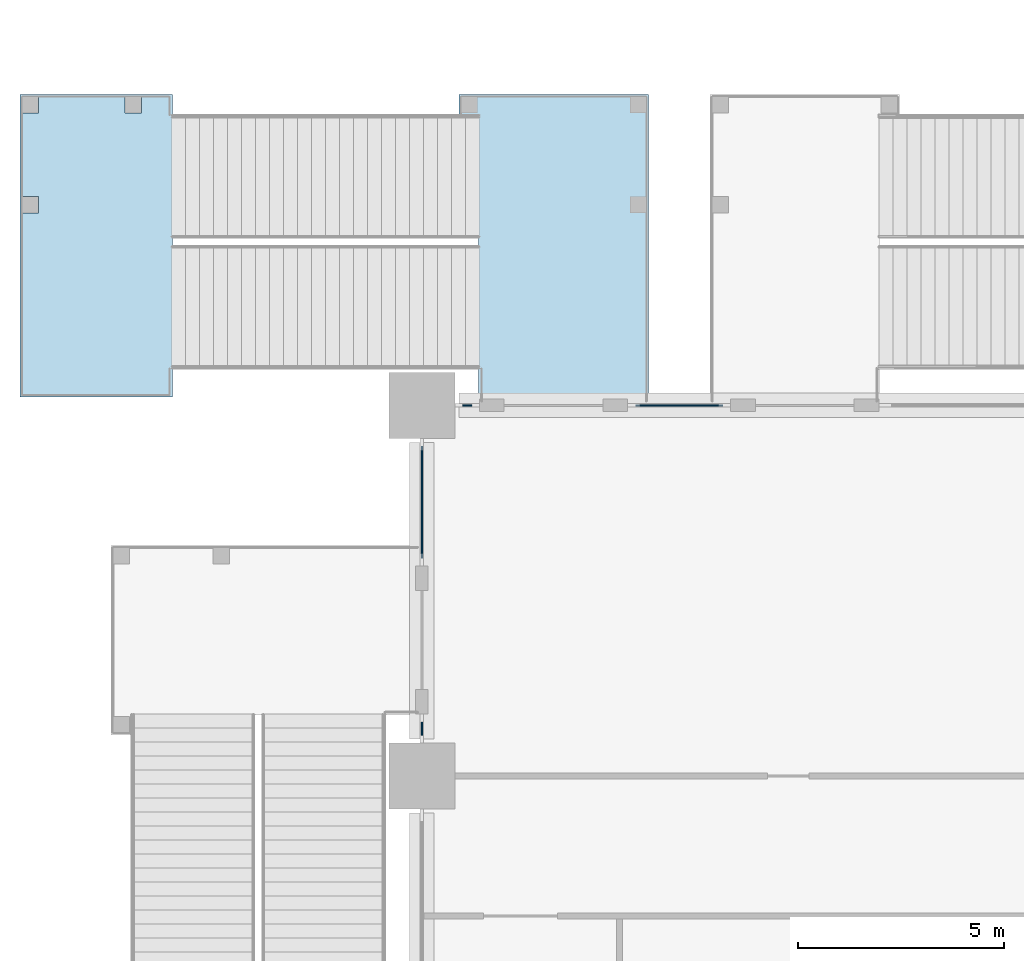
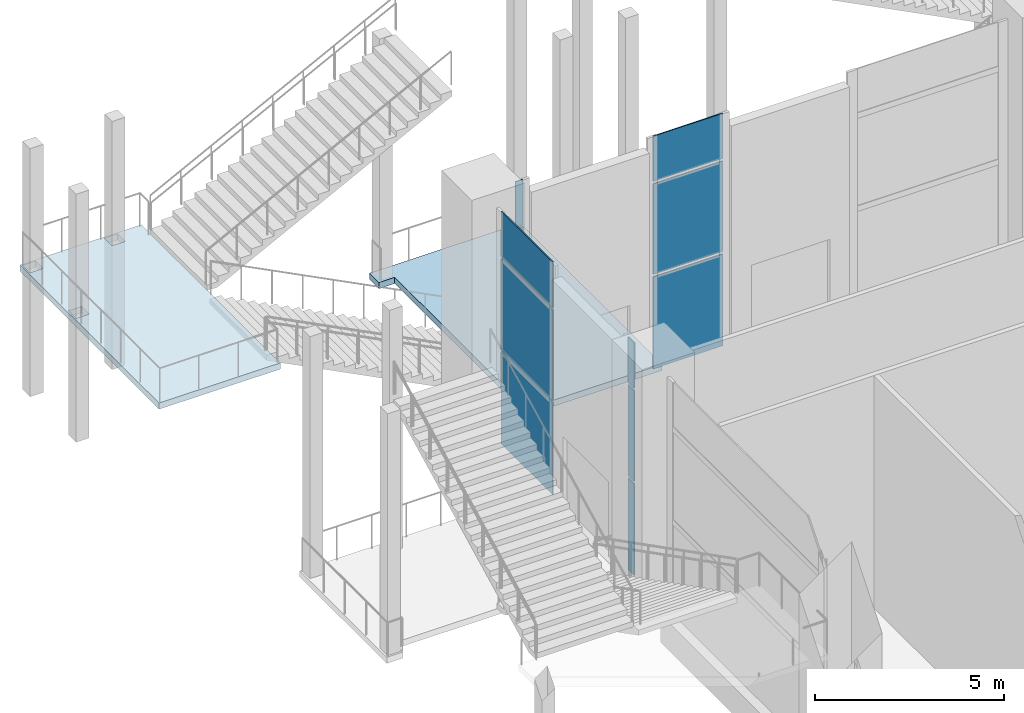
# One storey, part 19 of 52: 12 plates, 2 slabs, 5 elements without a shape of their own.
"""IFC4 building model written with IfcOpenShell, lengths in metres."""

from ifc_helpers import new_model, si_unit, direction, frame, origin, origin_2d, place, context, subcontext, project, spatial, polyline, rectangle, outline, extrude, material, layer, layer_set, type_object, element, aggregate, save


model = new_model("IFC4")

# Units and contexts
model_context = context("Model", 3, precision=1e-05, world=origin(), true_north=direction((0.0, 1.0)))
body_context = subcontext(model_context, "Body", "Model", "MODEL_VIEW")
ifc_project = project(units=[si_unit("LENGTHUNIT", "METRE"), si_unit("AREAUNIT", "SQUARE_METRE"), si_unit("VOLUMEUNIT", "CUBIC_METRE"), si_unit("PLANEANGLEUNIT", "RADIAN"), si_unit("MASSUNIT", "GRAM", prefix="KILO")], contexts=[model_context])

# Site, building, storey
site_placement = place(None, origin())
site = spatial("IfcSite", under=ifc_project, at=site_placement, CompositionType="ELEMENT")
building_placement = place(site_placement, origin())
building = spatial("IfcBuilding", under=site, at=building_placement, Name="Candeia Pilgrim Tower and Theatre", CompositionType="ELEMENT")
storey_placement = place(building_placement, frame((0.0, 0.0, 9.0)))
storey = spatial("IfcBuildingStorey", under=building, at=storey_placement, Name="L01", CompositionType="ELEMENT", Elevation=9.0)

# Curtain wall, plates
ifc_material_1 = material(Name="Aluminium framed podium glazing", Category="aluminium")
curtain_wall_type = type_object("IfcCurtainWallType", Name="CW-P curtain wall", PredefinedType="NOTDEFINED", material=ifc_material_1)
curtain_wall_1_placement = place(storey_placement, origin())
curtain_wall_1 = element("IfcCurtainWall", 1, at=curtain_wall_1_placement, inside=storey, type_object=curtain_wall_type, Name="Curtain wall CW-P L01.060", PredefinedType="NOTDEFINED")
ifc_material_2 = material(Name="Laminated low-iron glass 2 x 8 mm", Category="glass")
ifc_layer_1 = layer(ifc_material_2, 0.035888671875)
ifc_layer_set_1 = layer_set([ifc_layer_1], Name="CW-P glass panel 36")
plate_type = type_object("IfcPlateType", Name="CW-P glass panel 36", PredefinedType="CURTAIN_PANEL", material=ifc_layer_set_1)
plate_1_placement = place(storey_placement, frame((58.800048828125, 136.949951171875, 0.0), z_axis=(0.0, 0.0, 1.0), x_axis=(0.0, 1.0, 0.0)))
plate_1 = element("IfcPlate", 2, at=plate_1_placement, type_object=plate_type, Name="CW-P panel 1.1", PredefinedType="CURTAIN_PANEL", context=body_context, shape_type="SweptSolid", body=[
    extrude(rectangle(XDim=0.320068359375, YDim=0.035888671875, at=origin_2d()), origin(), (0.0, 0.0, 1.0), 2.9599609375),
])
plate_2_placement = place(storey_placement, frame((58.800048828125, 136.949951171875, 3.0400390625), z_axis=(0.0, 0.0, 1.0), x_axis=(0.0, 1.0, 0.0)))
plate_2 = element("IfcPlate", 3, at=plate_2_placement, type_object=plate_type, Name="CW-P panel 1.2", PredefinedType="CURTAIN_PANEL", context=body_context, shape_type="SweptSolid", body=[
    extrude(rectangle(XDim=0.320068359375, YDim=0.035888671875, at=origin_2d()), origin(), (0.0, 0.0, 1.0), 2.919921875),
])
plate_3_placement = place(storey_placement, frame((58.800048828125, 136.949951171875, 6.0400390625), z_axis=(0.0, 0.0, 1.0), x_axis=(0.0, 1.0, 0.0)))
plate_3 = element("IfcPlate", 4, at=plate_3_placement, type_object=plate_type, Name="CW-P panel 1.3", PredefinedType="CURTAIN_PANEL", context=body_context, shape_type="SweptSolid", body=[
    extrude(rectangle(XDim=0.320068359375, YDim=0.035888671875, at=origin_2d()), origin(), (0.0, 0.0, 1.0), 1.4599609375),
])
aggregate(curtain_wall_1, [plate_1, plate_2, plate_3])

curtain_wall_2_placement = place(storey_placement, origin())
curtain_wall_2 = element("IfcCurtainWall", 5, at=curtain_wall_2_placement, inside=storey, type_object=curtain_wall_type, Name="Curtain wall CW-P L01.061", PredefinedType="NOTDEFINED")
plate_4_placement = place(storey_placement, frame((58.800048828125, 142.449951171875, 0.0), z_axis=(0.0, 0.0, 1.0), x_axis=(0.0, 1.0, 0.0)))
plate_4 = element("IfcPlate", 6, at=plate_4_placement, type_object=plate_type, Name="CW-P panel 1.1", PredefinedType="CURTAIN_PANEL", context=body_context, shape_type="SweptSolid", body=[
    extrude(rectangle(XDim=2.719970703125, YDim=0.035888671875, at=origin_2d()), origin(), (0.0, 0.0, 1.0), 2.9599609375),
])
plate_5_placement = place(storey_placement, frame((58.800048828125, 142.449951171875, 3.0400390625), z_axis=(0.0, 0.0, 1.0), x_axis=(0.0, 1.0, 0.0)))
plate_5 = element("IfcPlate", 7, at=plate_5_placement, type_object=plate_type, Name="CW-P panel 1.2", PredefinedType="CURTAIN_PANEL", context=body_context, shape_type="SweptSolid", body=[
    extrude(rectangle(XDim=2.719970703125, YDim=0.035888671875, at=origin_2d()), origin(), (0.0, 0.0, 1.0), 2.919921875),
])
plate_6_placement = place(storey_placement, frame((58.800048828125, 142.449951171875, 6.0400390625), z_axis=(0.0, 0.0, 1.0), x_axis=(0.0, 1.0, 0.0)))
plate_6 = element("IfcPlate", 8, at=plate_6_placement, type_object=plate_type, Name="CW-P panel 1.3", PredefinedType="CURTAIN_PANEL", context=body_context, shape_type="SweptSolid", body=[
    extrude(rectangle(XDim=2.719970703125, YDim=0.035888671875, at=origin_2d()), origin(), (0.0, 0.0, 1.0), 1.4599609375),
])
aggregate(curtain_wall_2, [plate_4, plate_5, plate_6])

curtain_wall_3_placement = place(storey_placement, origin())
curtain_wall_3 = element("IfcCurtainWall", 9, at=curtain_wall_3_placement, inside=storey, type_object=curtain_wall_type, Name="Curtain wall CW-P L01.100", PredefinedType="NOTDEFINED")
plate_7_placement = place(storey_placement, frame((59.89990234375, 144.800048828125, 0.0), z_axis=(0.0, 0.0, 1.0), x_axis=(1.0, 0.0, 0.0)))
plate_7 = element("IfcPlate", 10, at=plate_7_placement, type_object=plate_type, Name="CW-P panel 1.1", PredefinedType="CURTAIN_PANEL", context=body_context, shape_type="SweptSolid", body=[
    extrude(rectangle(XDim=0.219970703125, YDim=0.035888671875, at=origin_2d()), origin(), (0.0, 0.0, 1.0), 2.9599609375),
])
plate_8_placement = place(storey_placement, frame((59.89990234375, 144.800048828125, 3.0400390625), z_axis=(0.0, 0.0, 1.0), x_axis=(1.0, 0.0, 0.0)))
plate_8 = element("IfcPlate", 11, at=plate_8_placement, type_object=plate_type, Name="CW-P panel 1.2", PredefinedType="CURTAIN_PANEL", context=body_context, shape_type="SweptSolid", body=[
    extrude(rectangle(XDim=0.219970703125, YDim=0.035888671875, at=origin_2d()), origin(), (0.0, 0.0, 1.0), 2.919921875),
])
plate_9_placement = place(storey_placement, frame((59.89990234375, 144.800048828125, 6.0400390625), z_axis=(0.0, 0.0, 1.0), x_axis=(1.0, 0.0, 0.0)))
plate_9 = element("IfcPlate", 12, at=plate_9_placement, type_object=plate_type, Name="CW-P panel 1.3", PredefinedType="CURTAIN_PANEL", context=body_context, shape_type="SweptSolid", body=[
    extrude(rectangle(XDim=0.219970703125, YDim=0.035888671875, at=origin_2d()), origin(), (0.0, 0.0, 1.0), 1.4599609375),
])
aggregate(curtain_wall_3, [plate_7, plate_8, plate_9])

curtain_wall_4_placement = place(storey_placement, origin())
curtain_wall_4 = element("IfcCurtainWall", 13, at=curtain_wall_4_placement, inside=storey, type_object=curtain_wall_type, Name="Curtain wall CW-P L01.101", PredefinedType="NOTDEFINED")
plate_10_placement = place(storey_placement, frame((65.050048828125, 144.800048828125, 0.0), z_axis=(0.0, 0.0, 1.0), x_axis=(1.0, 0.0, 0.0)))
plate_10 = element("IfcPlate", 14, at=plate_10_placement, type_object=plate_type, Name="CW-P panel 1.1", PredefinedType="CURTAIN_PANEL", context=body_context, shape_type="SweptSolid", body=[
    extrude(rectangle(XDim=2.1201171875, YDim=0.035888671875, at=origin_2d()), origin(), (0.0, 0.0, 1.0), 2.9599609375),
])
plate_11_placement = place(storey_placement, frame((65.050048828125, 144.800048828125, 3.0400390625), z_axis=(0.0, 0.0, 1.0), x_axis=(1.0, 0.0, 0.0)))
plate_11 = element("IfcPlate", 15, at=plate_11_placement, type_object=plate_type, Name="CW-P panel 1.2", PredefinedType="CURTAIN_PANEL", context=body_context, shape_type="SweptSolid", body=[
    extrude(rectangle(XDim=2.1201171875, YDim=0.035888671875, at=origin_2d()), origin(), (0.0, 0.0, 1.0), 2.919921875),
])
plate_12_placement = place(storey_placement, frame((65.050048828125, 144.800048828125, 6.0400390625), z_axis=(0.0, 0.0, 1.0), x_axis=(1.0, 0.0, 0.0)))
plate_12 = element("IfcPlate", 16, at=plate_12_placement, type_object=plate_type, Name="CW-P panel 1.3", PredefinedType="CURTAIN_PANEL", context=body_context, shape_type="SweptSolid", body=[
    extrude(rectangle(XDim=2.1201171875, YDim=0.035888671875, at=origin_2d()), origin(), (0.0, 0.0, 1.0), 1.4599609375),
])
aggregate(curtain_wall_4, [plate_10, plate_11, plate_12])

# Slab
ifc_material_3 = material(Name="Concrete C40/50", Category="concrete")
ifc_layer_2 = layer(ifc_material_3, 0.199951171875)
ifc_layer_set_2 = layer_set([ifc_layer_2], Name="SL-EXT stair landing")
slab_type = type_object("IfcSlabType", Name="SL-EXT stair landing", PredefinedType="LANDING", material=ifc_layer_set_2)
slab_1_placement = place(storey_placement, frame((0.0, 0.0, -0.199951171875)))
element("IfcSlab", 17, at=slab_1_placement, inside=storey, type_object=slab_type, Name="L01 External escape stair ES3 floor landing", PredefinedType="LANDING", context=body_context, shape_type="SweptSolid", body=[
    extrude(outline(polyline([(64.300048828125, 144.85009765625), (60.179931640625, 144.85009765625), (60.179931640625, 151.85009765625), (59.699951171875, 151.85009765625), (59.699951171875, 152.35009765625), (64.300048828125, 152.35009765625), (64.300048828125, 144.85009765625)])), origin(), (0.0, 0.0, 1.0), 0.199951171875),
])

# Stair, slab
stair_type = type_object("IfcStairType", Name="ST-EXT external escape stair", PredefinedType="HALF_TURN_STAIR", material=ifc_material_3)
stair_placement = place(storey_placement, origin())
stair = element("IfcStair", 18, at=stair_placement, inside=storey, type_object=stair_type, Name="L01 External escape stair ES3", PredefinedType="HALF_TURN_STAIR")
slab_2_placement = place(storey_placement, frame((0.0, 0.0, 3.800048828125)))
slab_2 = element("IfcSlab", 19, at=slab_2_placement, type_object=slab_type, Name="L01 External escape stair ES3 landing", PredefinedType="LANDING", context=body_context, shape_type="SweptSolid", body=[
    extrude(outline(polyline([(52.739990234375, 145.0), (49.0400390625, 145.0), (49.0400390625, 152.35009765625), (52.739990234375, 152.35009765625), (52.739990234375, 145.0)]), holes=[polyline([(51.590087890625, 151.89990234375), (51.989990234375, 151.89990234375), (51.989990234375, 152.300048828125), (51.590087890625, 152.300048828125), (51.590087890625, 151.89990234375)]), polyline([(49.090087890625, 151.89990234375), (49.489990234375, 151.89990234375), (49.489990234375, 152.300048828125), (49.090087890625, 152.300048828125), (49.090087890625, 151.89990234375)]), polyline([(49.090087890625, 149.47509765625), (49.489990234375, 149.47509765625), (49.489990234375, 149.875), (49.090087890625, 149.875), (49.090087890625, 149.47509765625)])]), origin(), (0.0, 0.0, 1.0), 0.199951171875),
])
aggregate(stair, [slab_2])

save(model, "model.ifc")
